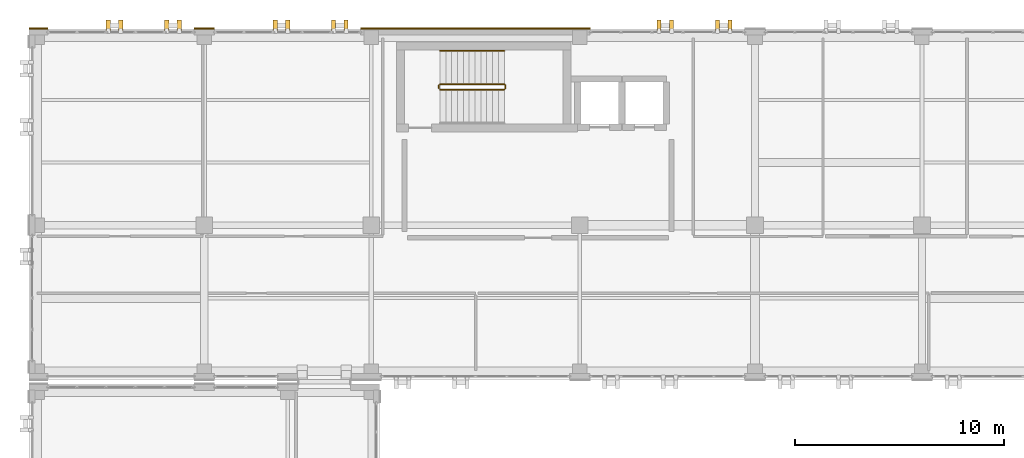
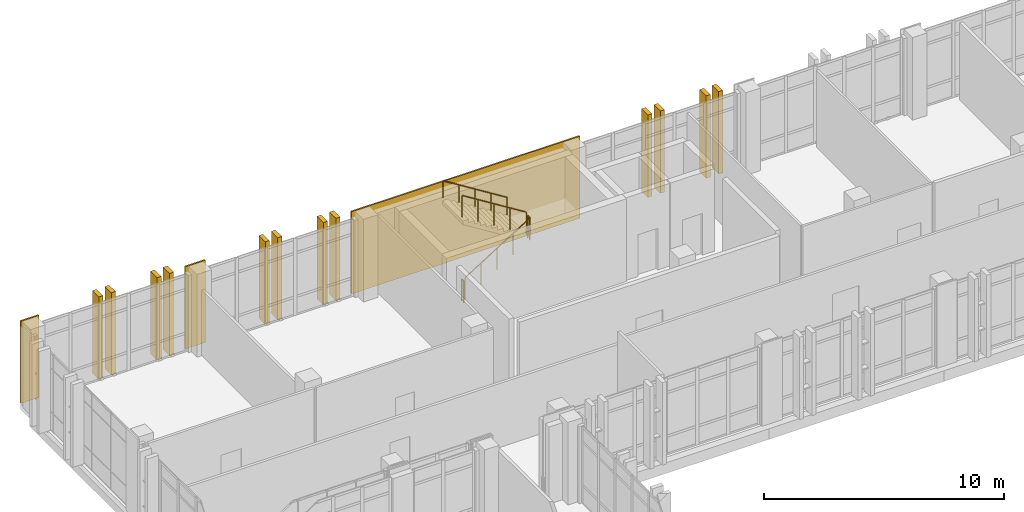
# One storey, part 157 of 165: 15 coverings, 5 railings.
"""IFC4 building model written with IfcOpenShell, lengths in metres."""

from ifc_helpers import new_model, si_unit, direction, frame, origin, origin_2d, place, context, subcontext, project, spatial, rectangle, circle, extrude, material, layer, layer_set, type_object, element, save


model = new_model("IFC4")

# Units and contexts
model_context = context("Model", 3, precision=1e-05, world=origin(), true_north=direction((0.0, 1.0)))
body_context = subcontext(model_context, "Body", "Model", "MODEL_VIEW")
ifc_project = project(units=[si_unit("LENGTHUNIT", "METRE"), si_unit("AREAUNIT", "SQUARE_METRE"), si_unit("VOLUMEUNIT", "CUBIC_METRE"), si_unit("PLANEANGLEUNIT", "RADIAN"), si_unit("MASSUNIT", "GRAM", prefix="KILO")], contexts=[model_context])

# Site, building, storey
site_placement = place(None, origin())
site = spatial("IfcSite", under=ifc_project, at=site_placement, CompositionType="ELEMENT")
building_placement = place(site_placement, origin())
building = spatial("IfcBuilding", under=site, at=building_placement, Name="Qalavern Law Courts", CompositionType="ELEMENT")
storey_placement = place(building_placement, frame((0.0, 0.0, 14.39990234375)))
storey = spatial("IfcBuildingStorey", under=building, at=storey_placement, Name="L03", CompositionType="ELEMENT", Elevation=14.39990234375)

# Coverings
ifc_material_1 = material(Name="Precast concrete C40/50", Category="concrete")
ifc_layer_1 = layer(ifc_material_1, 0.199951171875)
ifc_layer_set_1 = layer_set([ifc_layer_1], Name="Precast concrete C40/50")
covering_type_1 = type_object("IfcCoveringType", Name="ENV-BLD-1", PredefinedType="CLADDING", material=ifc_layer_set_1)
for number, where, z_axis, x_axis, name in (
    (1, (35.60009765625, 113.16259765625, 0.005126953125), (0.0, 0.0, 1.0), (0.0, 1.0, 0.0), "Absheron stone facade blade 1047"),
    (2, (35.0, 113.16259765625, 0.005126953125), (0.0, 0.0, 1.0), (0.0, 1.0, 0.0), "Absheron stone facade blade 1048"),
    (3, (32.800048828125, 113.16259765625, 0.005126953125), (0.0, 0.0, 1.0), (0.0, 1.0, 0.0), "Absheron stone facade blade 1049"),
    (4, (32.199951171875, 113.16259765625, 0.005126953125), (0.0, 0.0, 1.0), (0.0, 1.0, 0.0), "Absheron stone facade blade 1050"),
    (5, (17.199951171875, 113.16259765625, 0.005126953125), (0.0, 0.0, 1.0), (0.0, 1.0, 0.0), "Absheron stone facade blade 1051"),
    (6, (16.60009765625, 113.16259765625, 0.005126953125), (0.0, 0.0, 1.0), (0.0, 1.0, 0.0), "Absheron stone facade blade 1052"),
    (7, (14.39990234375, 113.16259765625, 0.005126953125), (0.0, 0.0, 1.0), (0.0, 1.0, 0.0), "Absheron stone facade blade 1053"),
    (8, (13.800048828125, 113.16259765625, 0.005126953125), (0.0, 0.0, 1.0), (0.0, 1.0, 0.0), "Absheron stone facade blade 1054"),
    (9, (9.199951171875, 113.16259765625, 0.005126953125), (0.0, 0.0, 1.0), (0.0, 1.0, 0.0), "Absheron stone facade blade 1055"),
    (10, (8.60009765625, 113.16259765625, 0.005126953125), (0.0, 0.0, 1.0), (0.0, 1.0, 0.0), "Absheron stone facade blade 1056"),
    (11, (6.39990234375, 113.16259765625, 0.005126953125), (0.0, 0.0, 1.0), (0.0, 1.0, 0.0), "Absheron stone facade blade 1057"),
    (12, (5.800048828125, 113.16259765625, 0.005126953125), (0.0, 0.0, 1.0), (0.0, 1.0, 0.0), "Absheron stone facade blade 1058"),
):
    element("IfcCovering", number, at=place(storey_placement, frame(where, z_axis=z_axis, x_axis=x_axis)), inside=storey, type_object=covering_type_1, Name=name, PredefinedType="CLADDING", context=body_context, shape_type="SweptSolid", body=[
        extrude(rectangle(XDim=0.5400390625, YDim=0.199951171875, at=origin_2d()), origin(), (0.0, 0.0, 1.0), 4.18994140625),
    ])
ifc_layer_2 = layer(ifc_material_1, 0.072021484375)
ifc_layer_set_2 = layer_set([ifc_layer_2], Name="Precast concrete C40/50")
covering_type_2 = type_object("IfcCoveringType", Name="ENV-CLD-2", PredefinedType="CLADDING", material=ifc_layer_set_2)
covering_1_placement = place(storey_placement, frame((23.39990234375, 113.032958984375, 0.01025390625), z_axis=(0.0, 0.0, 1.0), x_axis=(-1.0, 0.0, 0.0)))
element("IfcCovering", 13, at=covering_1_placement, inside=storey, type_object=covering_type_2, Name="V5 Absheron limestone pier facing L03 north 6", PredefinedType="CLADDING", context=body_context, shape_type="SweptSolid", body=[
    extrude(rectangle(XDim=10.97998046875, YDim=0.072021484375, at=origin_2d()), origin(), (0.0, 0.0, 1.0), 4.179931640625),
])
covering_2_placement = place(storey_placement, frame((10.39990234375, 113.032958984375, 0.01025390625), z_axis=(0.0, 0.0, 1.0), x_axis=(-1.0, 0.0, 0.0)))
element("IfcCovering", 14, at=covering_2_placement, inside=storey, type_object=covering_type_2, Name="V5 Absheron limestone pier facing L03 north 7", PredefinedType="CLADDING", context=body_context, shape_type="SweptSolid", body=[
    extrude(rectangle(XDim=0.97998046875, YDim=0.072021484375, at=origin_2d()), origin(), (0.0, 0.0, 1.0), 4.179931640625),
])
covering_3_placement = place(storey_placement, frame((2.449951171875, 113.032958984375, 0.01025390625), z_axis=(0.0, 0.0, 1.0), x_axis=(-1.0, 0.0, 0.0)))
element("IfcCovering", 15, at=covering_3_placement, inside=storey, type_object=covering_type_2, Name="V5 Absheron limestone pier facing L03 north 8", PredefinedType="CLADDING", context=body_context, shape_type="SweptSolid", body=[
    extrude(rectangle(XDim=0.8798828125, YDim=0.072021484375, at=origin_2d()), origin(), (0.0, 0.0, 1.0), 4.179931640625),
])

# Railings
ifc_material_2 = material(Name="Steel S355", Category="steel")
railing_type_1 = type_object("IfcRailingType", Name="INT-GUARD-1120", PredefinedType="BALUSTRADE", material=ifc_material_2)
railing_1_placement = place(storey_placement, frame((21.699951171875, 110.10009765625, 0.175048828125)))
element("IfcRailing", 16, at=railing_1_placement, inside=storey, type_object=railing_type_1, Name="L03 ST-K3 stair guard 1", PredefinedType="BALUSTRADE", context=body_context, shape_type="SweptSolid", body=[
    extrude(circle(Radius=0.02392578125, at=origin_2d()), frame((0.0, 0.0, 1.09619140625), z_axis=(0.847998304005, 0.0, 0.529998940003), x_axis=(0.0, 1.0, 0.0)), (0.0, 0.0, 1.0), 3.632080078125),
    extrude(circle(Radius=0.02099609375, at=origin_2d()), origin(), (0.0, 0.0, 1.0), 1.072021484375),
    extrude(circle(Radius=0.02099609375, at=origin_2d()), frame((0.77001953125, 0.0, 0.481201171875)), (0.0, 0.0, 1.0), 1.072021484375),
    extrude(circle(Radius=0.02099609375, at=origin_2d()), frame((1.5400390625, 0.0, 0.96240234375)), (0.0, 0.0, 1.0), 1.072021484375),
    extrude(circle(Radius=0.02099609375, at=origin_2d()), frame((2.31005859375, 0.0, 1.44384765625)), (0.0, 0.0, 1.0), 1.072021484375),
    extrude(circle(Radius=0.02099609375, at=origin_2d()), frame((3.080078125, 0.0, 1.925048828125)), (0.0, 0.0, 1.0), 1.072021484375),
])
railing_2_placement = place(storey_placement, frame((24.830078125, 110.14990234375, 2.10009765625)))
element("IfcRailing", 17, at=railing_2_placement, inside=storey, type_object=railing_type_1, Name="L03 ST-K3 stair guard 2", PredefinedType="BALUSTRADE", context=body_context, shape_type="SweptSolid", body=[
    extrude(circle(Radius=0.02392578125, at=origin_2d()), frame((0.0, 0.0, 1.09619140625), z_axis=(0.0, 1.0, 0.0), x_axis=(-1.0, 0.0, 0.0)), (0.0, 0.0, 1.0), 0.150146484375),
    extrude(circle(Radius=0.02099609375, at=origin_2d()), origin(), (0.0, 0.0, 1.0), 1.072021484375),
    extrude(circle(Radius=0.02099609375, at=origin_2d()), frame((0.0, 0.150146484375, 0.0)), (0.0, 0.0, 1.0), 1.072021484375),
])
railing_3_placement = place(storey_placement, frame((24.780029296875, 110.35009765625, 2.275146484375)))
element("IfcRailing", 18, at=railing_3_placement, inside=storey, type_object=railing_type_1, Name="L03 ST-K3 stair guard 3", PredefinedType="BALUSTRADE", context=body_context, shape_type="SweptSolid", body=[
    extrude(circle(Radius=0.02392578125, at=origin_2d()), frame((0.0, 0.0, 1.09619140625), z_axis=(-0.847998304005, 0.0, 0.529998940003), x_axis=(0.0, -1.0, 0.0)), (0.0, 0.0, 1.0), 3.632080078125),
    extrude(circle(Radius=0.02099609375, at=origin_2d()), origin(), (0.0, 0.0, 1.0), 1.072021484375),
    extrude(circle(Radius=0.02099609375, at=origin_2d()), frame((-0.77001953125, 0.0, 0.481201171875)), (0.0, 0.0, 1.0), 1.072021484375),
    extrude(circle(Radius=0.02099609375, at=origin_2d()), frame((-1.5400390625, 0.0, 0.96240234375)), (0.0, 0.0, 1.0), 1.072021484375),
    extrude(circle(Radius=0.02099609375, at=origin_2d()), frame((-2.31005859375, 0.0, 1.44384765625)), (0.0, 0.0, 1.0), 1.072021484375),
    extrude(circle(Radius=0.02099609375, at=origin_2d()), frame((-3.080078125, 0.0, 1.925048828125)), (0.0, 0.0, 1.0), 1.072021484375),
])
railing_4_placement = place(storey_placement, frame((21.64990234375, 110.14990234375, 0.0)))
element("IfcRailing", 19, at=railing_4_placement, inside=storey, type_object=railing_type_1, Name="L03 ST-K3 stair guard 4", PredefinedType="BALUSTRADE", context=body_context, shape_type="SweptSolid", body=[
    extrude(circle(Radius=0.02392578125, at=origin_2d()), frame((0.0, 0.0, 1.09619140625), z_axis=(0.0, 1.0, 0.0), x_axis=(-1.0, 0.0, 0.0)), (0.0, 0.0, 1.0), 0.150146484375),
    extrude(circle(Radius=0.02099609375, at=origin_2d()), origin(), (0.0, 0.0, 1.0), 1.072021484375),
    extrude(circle(Radius=0.02099609375, at=origin_2d()), frame((0.0, 0.150146484375, 0.0)), (0.0, 0.0, 1.0), 1.072021484375),
])
railing_type_2 = type_object("IfcRailingType", Name="INT-HRAIL-920", PredefinedType="HANDRAIL", material=ifc_material_2)
railing_5_placement = place(storey_placement, frame((24.780029296875, 111.949951171875, 2.275146484375)))
element("IfcRailing", 20, at=railing_5_placement, inside=storey, type_object=railing_type_2, Name="L03 ST-K3 stair handrail 2", PredefinedType="HANDRAIL", context=body_context, shape_type="SweptSolid", body=[
    extrude(circle(Radius=0.02392578125, at=origin_2d()), frame((0.0, 0.0, 0.8759765625), z_axis=(-0.847998304005, 0.0, 0.529998940003), x_axis=(0.0, -1.0, 0.0)), (0.0, 0.0, 1.0), 3.632080078125),
    extrude(circle(Radius=0.02099609375, at=origin_2d()), origin(), (0.0, 0.0, 1.0), 0.851806640625),
    extrude(circle(Radius=0.02099609375, at=origin_2d()), frame((-0.77001953125, 0.0, 0.481201171875)), (0.0, 0.0, 1.0), 0.851806640625),
    extrude(circle(Radius=0.02099609375, at=origin_2d()), frame((-1.5400390625, 0.0, 0.96240234375)), (0.0, 0.0, 1.0), 0.851806640625),
    extrude(circle(Radius=0.02099609375, at=origin_2d()), frame((-2.31005859375, 0.0, 1.44384765625)), (0.0, 0.0, 1.0), 0.851806640625),
    extrude(circle(Radius=0.02099609375, at=origin_2d()), frame((-3.080078125, 0.0, 1.925048828125)), (0.0, 0.0, 1.0), 0.851806640625),
])

save(model, "model.ifc")
